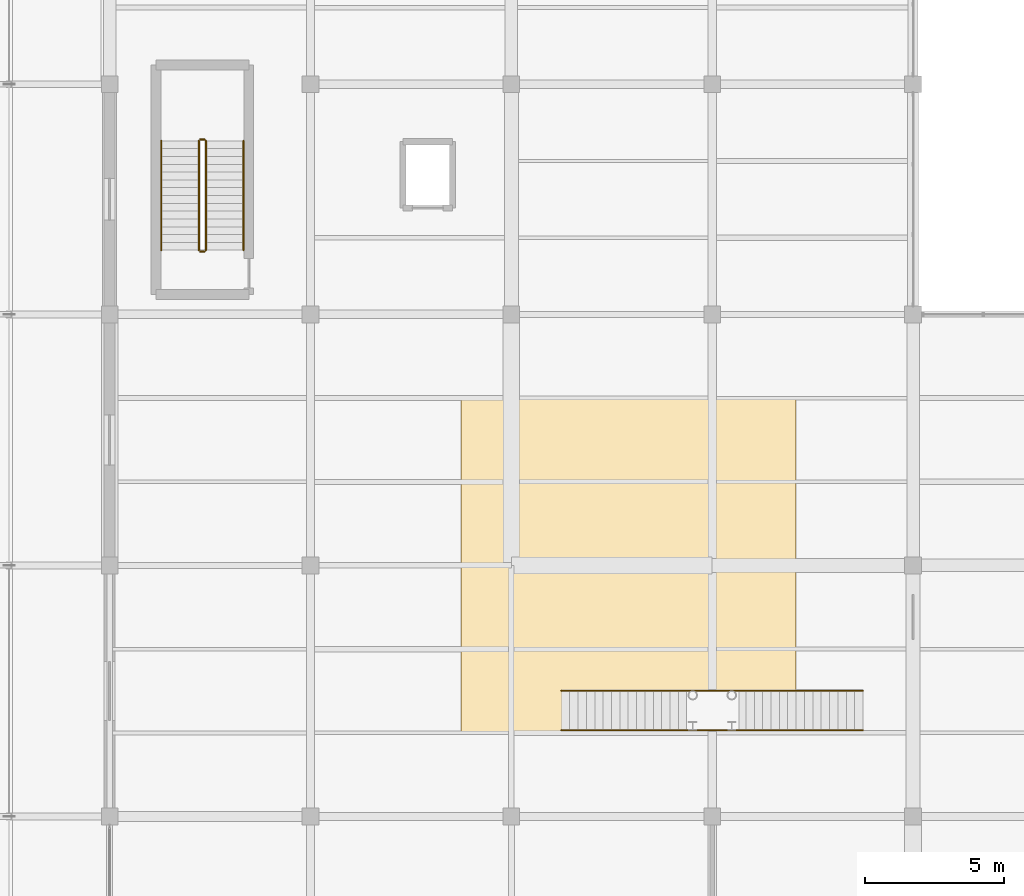
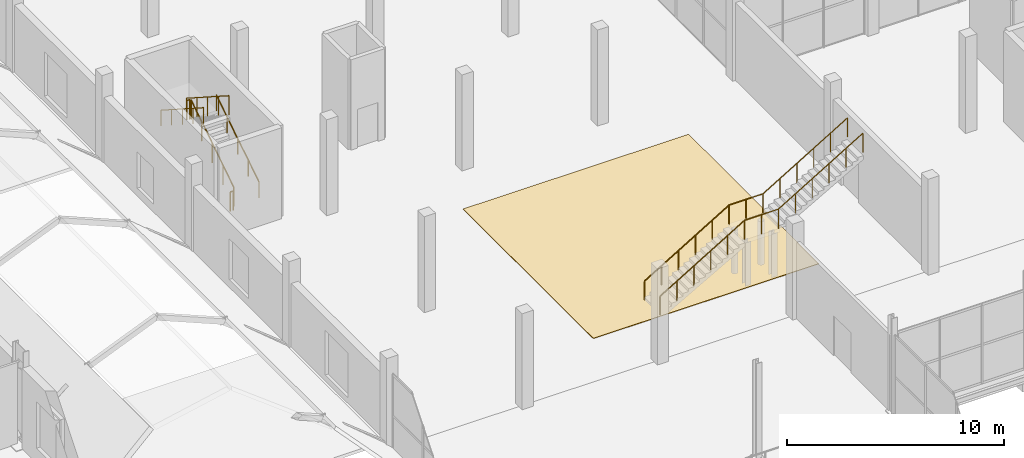
# One storey, part 138 of 141: 8 railings, 1 covering.
"""IFC4 building model written with IfcOpenShell, lengths in metres."""

from ifc_helpers import new_model, si_unit, direction, frame, origin, origin_2d, place, context, subcontext, project, spatial, rectangle, circle, extrude, material, layer, layer_set, type_object, element, save


model = new_model("IFC4")

# Units and contexts
model_context = context("Model", 3, precision=1e-05, world=origin(), true_north=direction((0.0, 1.0)))
body_context = subcontext(model_context, "Body", "Model", "MODEL_VIEW")
ifc_project = project(units=[si_unit("LENGTHUNIT", "METRE"), si_unit("AREAUNIT", "SQUARE_METRE"), si_unit("VOLUMEUNIT", "CUBIC_METRE"), si_unit("PLANEANGLEUNIT", "RADIAN"), si_unit("MASSUNIT", "GRAM", prefix="KILO")], contexts=[model_context])

# Site, building, storey
site_placement = place(None, origin())
site = spatial("IfcSite", under=ifc_project, at=site_placement, CompositionType="ELEMENT")
building_placement = place(site_placement, origin())
building = spatial("IfcBuilding", under=site, at=building_placement, Name="Sundgate Opera House", CompositionType="ELEMENT")
storey_placement = place(building_placement, frame((0.0, 0.0, 11.39990234375)))
storey = spatial("IfcBuildingStorey", under=building, at=storey_placement, Name="L02", CompositionType="ELEMENT", Elevation=11.39990234375)

# Covering
ifc_material_1 = material(Name="Sprung European oak stage and ballet floor", Category="wood")
ifc_layer = layer(ifc_material_1, 0.030029296875)
ifc_layer_set = layer_set([ifc_layer], Name="Sprung European oak stage and ballet floor")
covering_type = type_object("IfcCoveringType", Name="CV-FLR-SPRUNG", PredefinedType="FLOORING", material=ifc_layer_set)
covering_placement = place(storey_placement, frame((114.0, 78.0, 0.0), z_axis=(0.0, 0.0, 1.0), x_axis=(1.0, 0.0, 0.0)))
element("IfcCovering", 1, at=covering_placement, inside=storey, type_object=covering_type, Name="L02 Floor Finish CV0143", PredefinedType="FLOORING", context=body_context, shape_type="SweptSolid", body=[
    extrude(rectangle(XDim=12.0, YDim=12.0, at=origin_2d()), origin(), (0.0, 0.0, 1.0), 0.030029296875),
])

# Railings
ifc_material_2 = material(Name="Painted steel S275 guardrail", Category="steel")
railing_type_1 = type_object("IfcRailingType", Name="RL-STAIR-GUARD-1100", PredefinedType="GUARDRAIL", material=ifc_material_2)
railing_1_placement = place(storey_placement, frame((98.85009765625, 89.300048828125, 0.18017578125)))
element("IfcRailing", 2, at=railing_1_placement, inside=storey, type_object=railing_type_1, Name="ST05L02 Guardrail RL0194", PredefinedType="GUARDRAIL", context=body_context, shape_type="SweptSolid", body=[
    extrude(circle(Radius=0.02392578125, at=origin_2d()), frame((0.0, 0.0, 1.076171875), z_axis=(0.0, 0.841171666519, 0.540768182723), x_axis=(-1.0, 0.0, 0.0)), (0.0, 0.0, 1.0), 4.66015625),
    extrude(circle(Radius=0.02099609375, at=origin_2d()), origin(), (0.0, 0.0, 1.0), 1.052001953125),
    extrude(circle(Radius=0.02099609375, at=origin_2d()), frame((0.0, 0.97998046875, 0.6298828125)), (0.0, 0.0, 1.0), 1.052001953125),
    extrude(circle(Radius=0.02099609375, at=origin_2d()), frame((0.0, 1.9599609375, 1.260009765625)), (0.0, 0.0, 1.0), 1.052001953125),
    extrude(circle(Radius=0.02099609375, at=origin_2d()), frame((0.0, 2.93994140625, 1.89013671875)), (0.0, 0.0, 1.0), 1.052001953125),
    extrude(circle(Radius=0.02099609375, at=origin_2d()), frame((0.0, 3.919921875, 2.52001953125)), (0.0, 0.0, 1.0), 1.052001953125),
])
railing_2_placement = place(storey_placement, frame((98.800048828125, 93.27001953125, 2.7001953125)))
element("IfcRailing", 3, at=railing_2_placement, inside=storey, type_object=railing_type_1, Name="ST05L02 Guardrail RL0195", PredefinedType="GUARDRAIL", context=body_context, shape_type="SweptSolid", body=[
    extrude(circle(Radius=0.02392578125, at=origin_2d()), frame((0.0, 0.0, 1.076171875), z_axis=(-1.0, 0.0, 0.0), x_axis=(0.0, -1.0, 0.0)), (0.0, 0.0, 1.0), 0.150146484375),
    extrude(circle(Radius=0.02099609375, at=origin_2d()), origin(), (0.0, 0.0, 1.0), 1.052001953125),
    extrude(circle(Radius=0.02099609375, at=origin_2d()), frame((-0.150146484375, 0.0, 0.0)), (0.0, 0.0, 1.0), 1.052001953125),
])
railing_3_placement = place(storey_placement, frame((98.60009765625, 93.219970703125, 2.880126953125)))
element("IfcRailing", 4, at=railing_3_placement, inside=storey, type_object=railing_type_1, Name="ST05L02 Guardrail RL0196", PredefinedType="GUARDRAIL", context=body_context, shape_type="SweptSolid", body=[
    extrude(circle(Radius=0.02392578125, at=origin_2d()), frame((0.0, 0.0, 1.076171875), z_axis=(0.0, -0.841171666519, 0.540768182723), x_axis=(1.0, 0.0, 0.0)), (0.0, 0.0, 1.0), 4.66015625),
    extrude(circle(Radius=0.02099609375, at=origin_2d()), origin(), (0.0, 0.0, 1.0), 1.052001953125),
    extrude(circle(Radius=0.02099609375, at=origin_2d()), frame((0.0, -0.97998046875, 0.6298828125)), (0.0, 0.0, 1.0), 1.052001953125),
    extrude(circle(Radius=0.02099609375, at=origin_2d()), frame((0.0, -1.9599609375, 1.260009765625)), (0.0, 0.0, 1.0), 1.052001953125),
    extrude(circle(Radius=0.02099609375, at=origin_2d()), frame((0.0, -2.93994140625, 1.89013671875)), (0.0, 0.0, 1.0), 1.052001953125),
    extrude(circle(Radius=0.02099609375, at=origin_2d()), frame((0.0, -3.919921875, 2.52001953125)), (0.0, 0.0, 1.0), 1.052001953125),
])
railing_4_placement = place(storey_placement, frame((98.800048828125, 89.25, 0.0)))
element("IfcRailing", 5, at=railing_4_placement, inside=storey, type_object=railing_type_1, Name="ST05L02 Guardrail RL0197", PredefinedType="GUARDRAIL", context=body_context, shape_type="SweptSolid", body=[
    extrude(circle(Radius=0.02392578125, at=origin_2d()), frame((0.0, 0.0, 1.076171875), z_axis=(-1.0, 0.0, 0.0), x_axis=(0.0, -1.0, 0.0)), (0.0, 0.0, 1.0), 0.150146484375),
    extrude(circle(Radius=0.02099609375, at=origin_2d()), origin(), (0.0, 0.0, 1.0), 1.052001953125),
    extrude(circle(Radius=0.02099609375, at=origin_2d()), frame((-0.150146484375, 0.0, 0.0)), (0.0, 0.0, 1.0), 1.052001953125),
])
railing_5_placement = place(storey_placement, frame((111.60009765625, 72.090087890625, 0.0)))
element("IfcRailing", 6, at=railing_5_placement, inside=storey, type_object=railing_type_1, Name="ST13L02 Continuous Side Guardrail RL0284", PredefinedType="GUARDRAIL", context=body_context, shape_type="SweptSolid", body=[
    extrude(circle(Radius=0.02392578125, at=origin_2d()), frame((0.0, 0.0, 1.076171875), z_axis=(0.857476506072, 0.0, 0.514523120505), x_axis=(0.0, 1.0, 0.0)), (0.0, 0.0, 1.0), 5.248046875),
    extrude(circle(Radius=0.02392578125, at=origin_2d()), frame((4.5, 0.0, 3.7763671875), z_axis=(1.0, 0.0, 0.0), x_axis=(0.0, 1.0, 0.0)), (0.0, 0.0, 1.0), 1.7998046875),
    extrude(circle(Radius=0.02392578125, at=origin_2d()), frame((6.2998046875, 0.0, 3.7763671875), z_axis=(0.857497030584, 0.0, 0.514488913912), x_axis=(0.0, 1.0, 0.0)), (0.0, 0.0, 1.0), 5.247802734375),
    extrude(circle(Radius=0.02099609375, at=origin_2d()), origin(), (0.0, 0.0, 1.0), 1.052001953125),
    extrude(circle(Radius=0.02099609375, at=origin_2d()), frame((0.89990234375, 0.0, 0.5400390625)), (0.0, 0.0, 1.0), 1.052001953125),
    extrude(circle(Radius=0.02099609375, at=origin_2d()), frame((1.800048828125, 0.0, 1.080078125)), (0.0, 0.0, 1.0), 1.052001953125),
    extrude(circle(Radius=0.02099609375, at=origin_2d()), frame((2.699951171875, 0.0, 1.6201171875)), (0.0, 0.0, 1.0), 1.052001953125),
    extrude(circle(Radius=0.02099609375, at=origin_2d()), frame((3.60009765625, 0.0, 2.16015625)), (0.0, 0.0, 1.0), 1.052001953125),
    extrude(circle(Radius=0.02099609375, at=origin_2d()), frame((4.5, 0.0, 2.7001953125)), (0.0, 0.0, 1.0), 1.052001953125),
    extrude(circle(Radius=0.02099609375, at=origin_2d()), frame((5.39990234375, 0.0, 2.7001953125)), (0.0, 0.0, 1.0), 1.052001953125),
    extrude(circle(Radius=0.02099609375, at=origin_2d()), frame((6.2998046875, 0.0, 2.7001953125)), (0.0, 0.0, 1.0), 1.052001953125),
    extrude(circle(Radius=0.02099609375, at=origin_2d()), frame((7.19970703125, 0.0, 3.240234375)), (0.0, 0.0, 1.0), 1.052001953125),
    extrude(circle(Radius=0.02099609375, at=origin_2d()), frame((8.099853515625, 0.0, 3.7802734375)), (0.0, 0.0, 1.0), 1.052001953125),
    extrude(circle(Radius=0.02099609375, at=origin_2d()), frame((8.999755859375, 0.0, 4.320068359375)), (0.0, 0.0, 1.0), 1.052001953125),
    extrude(circle(Radius=0.02099609375, at=origin_2d()), frame((9.89990234375, 0.0, 4.860107421875)), (0.0, 0.0, 1.0), 1.052001953125),
    extrude(circle(Radius=0.02099609375, at=origin_2d()), frame((10.7998046875, 0.0, 5.400146484375)), (0.0, 0.0, 1.0), 1.052001953125),
])
railing_6_placement = place(storey_placement, frame((111.60009765625, 73.510009765625, 0.0)))
element("IfcRailing", 7, at=railing_6_placement, inside=storey, type_object=railing_type_1, Name="ST13L02 Continuous Side Guardrail RL0285", PredefinedType="GUARDRAIL", context=body_context, shape_type="SweptSolid", body=[
    extrude(circle(Radius=0.02392578125, at=origin_2d()), frame((0.0, 0.0, 1.076171875), z_axis=(0.857476506072, 0.0, 0.514523120505), x_axis=(0.0, 1.0, 0.0)), (0.0, 0.0, 1.0), 5.248046875),
    extrude(circle(Radius=0.02392578125, at=origin_2d()), frame((4.5, 0.0, 3.7763671875), z_axis=(1.0, 0.0, 0.0), x_axis=(0.0, 1.0, 0.0)), (0.0, 0.0, 1.0), 1.7998046875),
    extrude(circle(Radius=0.02392578125, at=origin_2d()), frame((6.2998046875, 0.0, 3.7763671875), z_axis=(0.857497030584, 0.0, 0.514488913912), x_axis=(0.0, 1.0, 0.0)), (0.0, 0.0, 1.0), 5.247802734375),
    extrude(circle(Radius=0.02099609375, at=origin_2d()), origin(), (0.0, 0.0, 1.0), 1.052001953125),
    extrude(circle(Radius=0.02099609375, at=origin_2d()), frame((0.89990234375, 0.0, 0.5400390625)), (0.0, 0.0, 1.0), 1.052001953125),
    extrude(circle(Radius=0.02099609375, at=origin_2d()), frame((1.800048828125, 0.0, 1.080078125)), (0.0, 0.0, 1.0), 1.052001953125),
    extrude(circle(Radius=0.02099609375, at=origin_2d()), frame((2.699951171875, 0.0, 1.6201171875)), (0.0, 0.0, 1.0), 1.052001953125),
    extrude(circle(Radius=0.02099609375, at=origin_2d()), frame((3.60009765625, 0.0, 2.16015625)), (0.0, 0.0, 1.0), 1.052001953125),
    extrude(circle(Radius=0.02099609375, at=origin_2d()), frame((4.5, 0.0, 2.7001953125)), (0.0, 0.0, 1.0), 1.052001953125),
    extrude(circle(Radius=0.02099609375, at=origin_2d()), frame((5.39990234375, 0.0, 2.7001953125)), (0.0, 0.0, 1.0), 1.052001953125),
    extrude(circle(Radius=0.02099609375, at=origin_2d()), frame((6.2998046875, 0.0, 2.7001953125)), (0.0, 0.0, 1.0), 1.052001953125),
    extrude(circle(Radius=0.02099609375, at=origin_2d()), frame((7.19970703125, 0.0, 3.240234375)), (0.0, 0.0, 1.0), 1.052001953125),
    extrude(circle(Radius=0.02099609375, at=origin_2d()), frame((8.099853515625, 0.0, 3.7802734375)), (0.0, 0.0, 1.0), 1.052001953125),
    extrude(circle(Radius=0.02099609375, at=origin_2d()), frame((8.999755859375, 0.0, 4.320068359375)), (0.0, 0.0, 1.0), 1.052001953125),
    extrude(circle(Radius=0.02099609375, at=origin_2d()), frame((9.89990234375, 0.0, 4.860107421875)), (0.0, 0.0, 1.0), 1.052001953125),
    extrude(circle(Radius=0.02099609375, at=origin_2d()), frame((10.7998046875, 0.0, 5.400146484375)), (0.0, 0.0, 1.0), 1.052001953125),
])
ifc_material_3 = material(Name="Brushed stainless steel handrail", Category="steel")
railing_type_2 = type_object("IfcRailingType", Name="RL-STAIR-HAND-900", PredefinedType="HANDRAIL", material=ifc_material_3)
railing_7_placement = place(storey_placement, frame((100.199951171875, 89.300048828125, 0.18017578125)))
element("IfcRailing", 8, at=railing_7_placement, inside=storey, type_object=railing_type_2, Name="ST05L02 Handrail RL0198", PredefinedType="HANDRAIL", context=body_context, shape_type="SweptSolid", body=[
    extrude(circle(Radius=0.02392578125, at=origin_2d()), frame((0.0, 0.0, 0.8759765625), z_axis=(0.0, 0.841171666519, 0.540768182723), x_axis=(-1.0, 0.0, 0.0)), (0.0, 0.0, 1.0), 4.66015625),
    extrude(circle(Radius=0.02099609375, at=origin_2d()), origin(), (0.0, 0.0, 1.0), 0.851806640625),
    extrude(circle(Radius=0.02099609375, at=origin_2d()), frame((0.0, 0.97998046875, 0.6298828125)), (0.0, 0.0, 1.0), 0.851806640625),
    extrude(circle(Radius=0.02099609375, at=origin_2d()), frame((0.0, 1.9599609375, 1.260009765625)), (0.0, 0.0, 1.0), 0.851806640625),
    extrude(circle(Radius=0.02099609375, at=origin_2d()), frame((0.0, 2.93994140625, 1.89013671875)), (0.0, 0.0, 1.0), 0.851806640625),
    extrude(circle(Radius=0.02099609375, at=origin_2d()), frame((0.0, 3.919921875, 2.52001953125)), (0.0, 0.0, 1.0), 0.851806640625),
])
railing_8_placement = place(storey_placement, frame((97.25, 93.219970703125, 2.880126953125)))
element("IfcRailing", 9, at=railing_8_placement, inside=storey, type_object=railing_type_2, Name="ST05L02 Handrail RL0199", PredefinedType="HANDRAIL", context=body_context, shape_type="SweptSolid", body=[
    extrude(circle(Radius=0.02392578125, at=origin_2d()), frame((0.0, 0.0, 0.8759765625), z_axis=(0.0, -0.841171666519, 0.540768182723), x_axis=(1.0, 0.0, 0.0)), (0.0, 0.0, 1.0), 4.66015625),
    extrude(circle(Radius=0.02099609375, at=origin_2d()), origin(), (0.0, 0.0, 1.0), 0.851806640625),
    extrude(circle(Radius=0.02099609375, at=origin_2d()), frame((0.0, -0.97998046875, 0.6298828125)), (0.0, 0.0, 1.0), 0.851806640625),
    extrude(circle(Radius=0.02099609375, at=origin_2d()), frame((0.0, -1.9599609375, 1.260009765625)), (0.0, 0.0, 1.0), 0.851806640625),
    extrude(circle(Radius=0.02099609375, at=origin_2d()), frame((0.0, -2.93994140625, 1.89013671875)), (0.0, 0.0, 1.0), 0.851806640625),
    extrude(circle(Radius=0.02099609375, at=origin_2d()), frame((0.0, -3.919921875, 2.52001953125)), (0.0, 0.0, 1.0), 0.851806640625),
])

save(model, "model.ifc")
